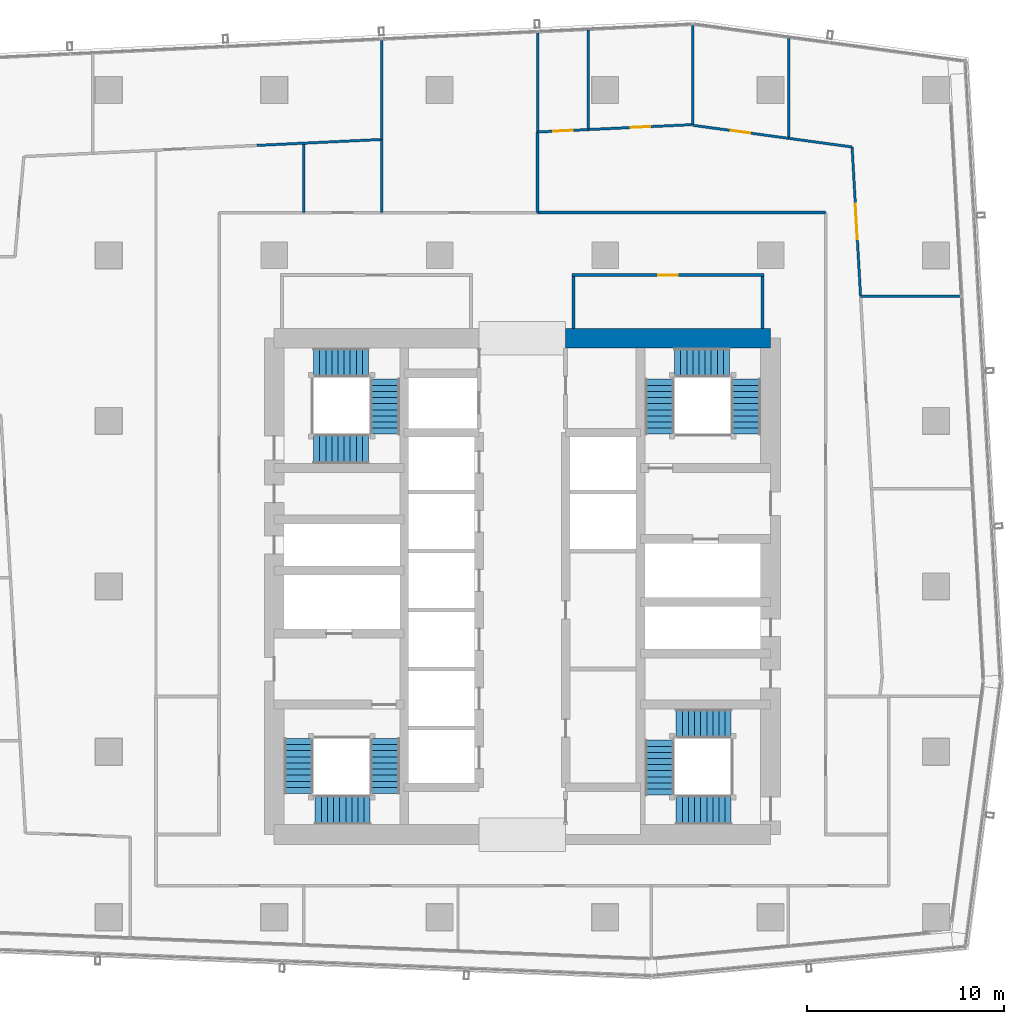
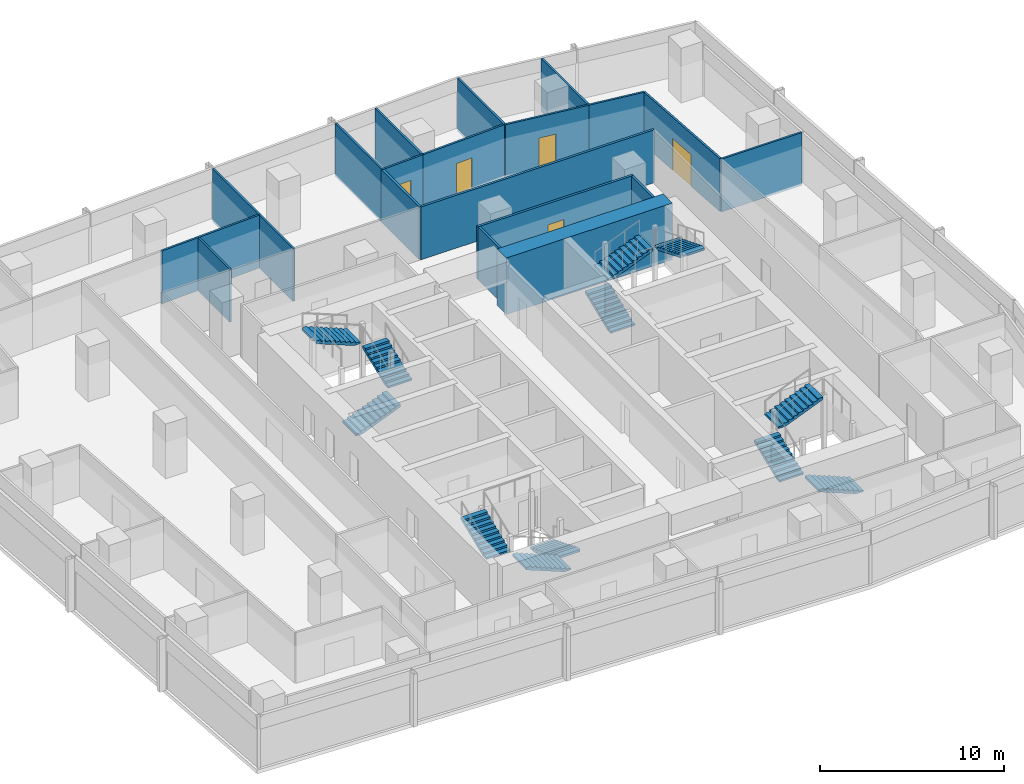
# One storey, part 30 of 38: 20 walls, 12 stair flights, 5 doors, 5 openings, 4 elements without a shape of their own.
"""IFC4 building model written with IfcOpenShell, lengths in metres."""

from ifc_helpers import new_model, si_unit, direction, frame, frame_2d, origin, place, context, subcontext, project, spatial, polyline, rectangle, outline, extrude, material, layer, layer_set, type_object, element, fill, aggregate, save


model = new_model("IFC4")

# Units and contexts
model_context = context("Model", 3, precision=1e-05, world=origin(), true_north=direction((0.0, 1.0)))
body_context = subcontext(model_context, "Body", "Model", "MODEL_VIEW")
ifc_project = project(units=[si_unit("LENGTHUNIT", "METRE"), si_unit("AREAUNIT", "SQUARE_METRE"), si_unit("VOLUMEUNIT", "CUBIC_METRE"), si_unit("PLANEANGLEUNIT", "RADIAN"), si_unit("MASSUNIT", "GRAM", prefix="KILO")], contexts=[model_context])

# Site, building, storey
site_placement = place(None, origin())
site = spatial("IfcSite", under=ifc_project, at=site_placement, CompositionType="ELEMENT")
building_placement = place(site_placement, origin())
building = spatial("IfcBuilding", under=site, at=building_placement, Name="Rekha Terrace Tower", CompositionType="ELEMENT")
storey_placement = place(building_placement, frame((0.0, 0.0, 195.199951171875)))
storey = spatial("IfcBuildingStorey", under=building, at=storey_placement, Name="L49", CompositionType="ELEMENT", Elevation=195.199951171875)

# Wall
ifc_material_1 = material(Name="Concrete M60", Category="concrete")
ifc_layer_1 = layer(ifc_material_1, 1.0)
ifc_layer_set_1 = layer_set([ifc_layer_1], Name="Concrete M60")
wall_type_1 = type_object("IfcWallType", Name="SW3 1000 core outer shear wall", PredefinedType="SHEAR", material=ifc_layer_set_1)
wall_1_placement = place(storey_placement, frame((40.0, 46.199951171875, 0.0), z_axis=(0.0, 0.0, 1.0), x_axis=(1.0, 0.0, 0.0)))
element("IfcWall", 1, at=wall_1_placement, inside=storey, type_object=wall_type_1, Name="Core wall N2 L49", PredefinedType="SHEAR", context=body_context, shape_type="SweptSolid", body=[
    extrude(rectangle(XDim=10.39990234375, YDim=1.0, at=frame_2d((5.199951171875, 0.0))), origin(), (0.0, 0.0, 1.0), 3.75),
])

# Wall, opening, door
ifc_material_2 = material(Name="Concrete block masonry, 1 hour", Category="masonry")
ifc_layer_2 = layer(ifc_material_2, 0.14990234375)
ifc_layer_set_2 = layer_set([ifc_layer_2], Name="Concrete block masonry, 1 hour")
wall_type_2 = type_object("IfcWallType", Name="WP2 150 tenancy partition", PredefinedType="PARTITIONING", material=ifc_layer_set_2)
wall_2_placement = place(storey_placement, frame((40.324951171875, 49.39990234375, 0.0), z_axis=(0.0, 0.0, 1.0), x_axis=(1.0, 0.0, 0.0)))
wall_2 = element("IfcWall", 2, at=wall_2_placement, inside=storey, type_object=wall_type_2, Name="Women's WC wall L49", PredefinedType="PARTITIONING", context=body_context, shape_type="SweptSolid", body=[
    extrude(rectangle(XDim=9.75, YDim=0.14990234375, at=frame_2d((4.875, 0.0))), origin(), (0.0, 0.0, 1.0), 3.5),
])
opening_1_placement = place(wall_2_placement, frame((4.375, 0.0, 0.0)))
opening_1 = element("IfcOpeningElement", 3, at=opening_1_placement, cuts=wall_2, Name="Opening D3", PredefinedType="OPENING", context=body_context, shape_type="SweptSolid", body=[
    extrude(rectangle(XDim=1.0, YDim=2.10009765625, at=frame_2d((0.5, 1.050048828125))), frame((0.0, 0.0849609375, 0.0), z_axis=(0.0, -1.0, 0.0), x_axis=(1.0, 0.0, 0.0)), (0.0, 0.0, 1.0), 0.169921875),
])
ifc_material_3 = material(Name="Laminated timber fire door", Category="wood")
door_type_1 = type_object("IfcDoorType", Name="D3 1000x2100 WC door", OperationType="SINGLE_SWING_LEFT", PredefinedType="DOOR", material=ifc_material_3)
door_1_placement = place(opening_1_placement, origin())
door_1 = element("IfcDoor", 4, at=door_1_placement, inside=storey, type_object=door_type_1, Name="Door women's wc L49", OperationType="SINGLE_SWING_LEFT", OverallHeight=2.10009765625, OverallWidth=1.0, PredefinedType="DOOR", context=body_context, shape_type="SweptSolid", body=[
    extrude(rectangle(XDim=1.0, YDim=2.10009765625, at=frame_2d((0.5, 1.050048828125))), frame((0.0, 0.02490234375, 0.0), z_axis=(0.0, -1.0, 0.0), x_axis=(1.0, 0.0, 0.0)), (0.0, 0.0, 1.0), 0.050048828125),
])
fill(opening_1, door_1)

# Walls
for number, where, z_axis, x_axis, name in (
    (5, (40.39990234375, 46.699951171875, 0.0), (0.0, 0.0, 1.0), (0.0, 1.0, 0.0), "Women's WC wall L49"),
    (6, (50.0, 46.699951171875, 0.0), (0.0, 0.0, 1.0), (0.0, 1.0, 0.0), "Women's WC wall L49"),
):
    element("IfcWall", number, at=place(storey_placement, frame(where, z_axis=z_axis, x_axis=x_axis)), inside=storey, type_object=wall_type_2, Name=name, PredefinedType="PARTITIONING", context=body_context, shape_type="SweptSolid", body=[
        extrude(rectangle(XDim=2.625, YDim=0.14990234375, at=frame_2d((1.3125, 0.0))), origin(), (0.0, 0.0, 1.0), 3.5),
    ])
wall_3_placement = place(storey_placement, frame((53.199951171875, 52.574951171875, 0.0), z_axis=(0.0, 0.0, 1.0), x_axis=(-1.0, 0.0, 0.0)))
element("IfcWall", 7, at=wall_3_placement, inside=storey, type_object=wall_type_2, Name="Partition L49-O1", PredefinedType="PARTITIONING", context=body_context, shape_type="SweptSolid", body=[
    extrude(rectangle(XDim=14.6298828125, YDim=0.14990234375, at=frame_2d((7.31494140625, 0.0))), origin(), (0.0, 0.0, 1.0), 3.5),
])
wall_4_placement = place(storey_placement, frame((38.570068359375, 52.574951171875, 0.0), z_axis=(0.0, 0.0, 1.0), x_axis=(0.0, 1.0, 0.0)))
element("IfcWall", 8, at=wall_4_placement, inside=storey, type_object=wall_type_2, Name="Partition L49-O1", PredefinedType="PARTITIONING", context=body_context, shape_type="SweptSolid", body=[
    extrude(rectangle(XDim=4.090087890625, YDim=0.14990234375, at=frame_2d((2.044921875, 0.0))), origin(), (0.0, 0.0, 1.0), 3.5),
])
ifc_material_4 = material(Name="Two layers of fire-rated gypsum board each side on steel studs, acoustic quilt, 1 hour", Category="steel")
ifc_layer_3 = layer(ifc_material_4, 0.125)
ifc_layer_set_3 = layer_set([ifc_layer_3], Name="Two layers of fire-rated gypsum board each side on steel studs, acoustic quilt, 1 hour")
wall_type_3 = type_object("IfcWallType", Name="WP3 125 office partition", PredefinedType="PARTITIONING", material=ifc_layer_set_3)
wall_5_placement = place(storey_placement, frame((54.968017578125, 48.3310546875, 0.0), z_axis=(0.0, 0.0, 1.0), x_axis=(1.0, 0.0, 0.0)))
element("IfcWall", 9, at=wall_5_placement, inside=storey, type_object=wall_type_3, Name="Partition L49-06", PredefinedType="PARTITIONING", context=body_context, shape_type="SweptSolid", body=[
    extrude(rectangle(XDim=5.028076171875, YDim=0.125, at=frame_2d((2.51416015625, 0.0))), origin(), (0.0, 0.0, 1.0), 3.5),
])
wall_6_placement = place(storey_placement, frame((51.31298828125, 56.343994140625, 0.0), z_axis=(0.0, 0.0, 1.0), x_axis=(0.0, 1.0, 0.0)))
element("IfcWall", 10, at=wall_6_placement, inside=storey, type_object=wall_type_3, Name="Partition L49-07", PredefinedType="PARTITIONING", context=body_context, shape_type="SweptSolid", body=[
    extrude(rectangle(XDim=5.06689453125, YDim=0.125, at=frame_2d((2.533447265625, 0.0))), origin(), (0.0, 0.0, 1.0), 3.5),
])

# Wall, opening, door
wall_7_placement = place(storey_placement, frame((54.968017578125, 48.33203125, 0.0), z_axis=(0.0, 0.0, 1.0), x_axis=(-0.056680388523, 0.998392374549, 0.0)))
wall_7 = element("IfcWall", 11, at=wall_7_placement, inside=storey, type_object=wall_type_3, Name="Partition L49-07", PredefinedType="PARTITIONING", context=body_context, shape_type="SweptSolid", body=[
    extrude(rectangle(XDim=7.585205078125, YDim=0.125, at=frame_2d((3.79248046875, 0.0))), origin(), (0.0, 0.0, 1.0), 3.5),
])
opening_2_placement = place(wall_7_placement, frame((2.89306640625, 0.0, 0.0)))
opening_2 = element("IfcOpeningElement", 12, at=opening_2_placement, cuts=wall_7, Name="Opening D8", PredefinedType="OPENING", context=body_context, shape_type="SweptSolid", body=[
    extrude(rectangle(XDim=1.800048828125, YDim=2.10009765625, at=frame_2d((0.89990234375, 1.050048828125))), frame((0.0, 0.072509765625, 0.0), z_axis=(0.0, -1.0, 0.0), x_axis=(1.0, 0.0, 0.0)), (0.0, 0.0, 1.0), 0.14501953125),
])
ifc_material_5 = material(Name="Timber fire door", Category="wood")
door_type_2 = type_object("IfcDoorType", Name="D8 1800x2100 double leaf door", OperationType="DOUBLE_DOOR_SINGLE_SWING", PredefinedType="DOOR", material=ifc_material_5)
door_2_placement = place(opening_2_placement, origin())
door_2 = element("IfcDoor", 13, at=door_2_placement, inside=storey, type_object=door_type_2, Name="Door meeting room L49", OperationType="DOUBLE_DOOR_SINGLE_SWING", OverallHeight=2.10009765625, OverallWidth=1.800048828125, PredefinedType="DOOR", context=body_context, shape_type="SweptSolid", body=[
    extrude(rectangle(XDim=1.800048828125, YDim=2.10009765625, at=frame_2d((0.89990234375, 1.050048828125))), frame((0.0, 0.02490234375, 0.0), z_axis=(0.0, -1.0, 0.0), x_axis=(1.0, 0.0, 0.0)), (0.0, 0.0, 1.0), 0.050048828125),
])
fill(opening_2, door_2)

# Wall
wall_8_placement = place(storey_placement, frame((54.5380859375, 55.905029296875, 0.0), z_axis=(0.0, 0.0, 1.0), x_axis=(-0.990863913786, 0.134865504692, 0.0)))
element("IfcWall", 14, at=wall_8_placement, inside=storey, type_object=wall_type_3, Name="Partition L49-07", PredefinedType="PARTITIONING", context=body_context, shape_type="SweptSolid", body=[
    extrude(rectangle(XDim=3.2548828125, YDim=0.125, at=frame_2d((1.62744140625, 0.0))), origin(), (0.0, 0.0, 1.0), 3.5),
])

# Wall, opening, door
wall_9_placement = place(storey_placement, frame((51.31201171875, 56.343994140625, 0.0), z_axis=(0.0, 0.0, 1.0), x_axis=(-0.99084256707, 0.135022247361, 0.0)))
wall_9 = element("IfcWall", 15, at=wall_9_placement, inside=storey, type_object=wall_type_3, Name="Partition L49-08", PredefinedType="PARTITIONING", context=body_context, shape_type="SweptSolid", body=[
    extrude(rectangle(XDim=4.910888671875, YDim=0.125, at=frame_2d((2.45556640625, 0.0))), origin(), (0.0, 0.0, 1.0), 3.5),
])
opening_3_placement = place(wall_9_placement, frame((1.9560546875, 0.0, 0.0)))
opening_3 = element("IfcOpeningElement", 16, at=opening_3_placement, cuts=wall_9, Name="Opening D9", PredefinedType="OPENING", context=body_context, shape_type="SweptSolid", body=[
    extrude(rectangle(XDim=1.0, YDim=2.10009765625, at=frame_2d((0.5, 1.050048828125))), frame((0.0, 0.072509765625, 0.0), z_axis=(0.0, -1.0, 0.0), x_axis=(1.0, 0.0, 0.0)), (0.0, 0.0, 1.0), 0.14501953125),
])
door_type_3 = type_object("IfcDoorType", Name="D9 1000x2100 office door", OperationType="SINGLE_SWING_LEFT", PredefinedType="DOOR", material=ifc_material_5)
door_3_placement = place(opening_3_placement, origin())
door_3 = element("IfcDoor", 17, at=door_3_placement, inside=storey, type_object=door_type_3, Name="Door office L49", OperationType="SINGLE_SWING_LEFT", OverallHeight=2.10009765625, OverallWidth=1.0, PredefinedType="DOOR", context=body_context, shape_type="SweptSolid", body=[
    extrude(rectangle(XDim=1.0, YDim=2.10009765625, at=frame_2d((0.5, 1.050048828125))), frame((0.0, 0.02490234375, 0.0), z_axis=(0.0, -1.0, 0.0), x_axis=(1.0, 0.0, 0.0)), (0.0, 0.0, 1.0), 0.050048828125),
])
fill(opening_3, door_3)

# Walls
wall_10_placement = place(storey_placement, frame((46.445068359375, 57.02001953125, 0.0), z_axis=(0.0, 0.0, 1.0), x_axis=(0.0, 1.0, 0.0)))
element("IfcWall", 18, at=wall_10_placement, inside=storey, type_object=wall_type_3, Name="Partition L49-08", PredefinedType="PARTITIONING", context=body_context, shape_type="SweptSolid", body=[
    extrude(rectangle(XDim=5.046875, YDim=0.125, at=frame_2d((2.5234375, 0.0))), origin(), (0.0, 0.0, 1.0), 3.5),
])
wall_11_placement = place(storey_placement, frame((41.152099609375, 56.7890625, 0.0), z_axis=(0.0, 0.0, 1.0), x_axis=(0.0, 1.0, 0.0)))
element("IfcWall", 19, at=wall_11_placement, inside=storey, type_object=wall_type_3, Name="Partition L49-09", PredefinedType="PARTITIONING", context=body_context, shape_type="SweptSolid", body=[
    extrude(rectangle(XDim=5.055908203125, YDim=0.125, at=frame_2d((2.52783203125, 0.0))), origin(), (0.0, 0.0, 1.0), 3.5),
])

# Wall, opening, door
wall_12_placement = place(storey_placement, frame((46.383056640625, 57.0380859375, 0.0), z_axis=(0.0, 0.0, 1.0), x_axis=(-0.99886877048, -0.047551859698, 0.0)))
wall_12 = element("IfcWall", 20, at=wall_12_placement, inside=storey, type_object=wall_type_3, Name="Partition L49-09", PredefinedType="PARTITIONING", context=body_context, shape_type="SweptSolid", body=[
    extrude(rectangle(XDim=5.23681640625, YDim=0.125, at=frame_2d((2.618408203125, 0.0))), origin(), (0.0, 0.0, 1.0), 3.5),
])
opening_4_placement = place(wall_12_placement, frame((2.087890625, 0.0, 0.0)))
opening_4 = element("IfcOpeningElement", 21, at=opening_4_placement, cuts=wall_12, Name="Opening D9", PredefinedType="OPENING", context=body_context, shape_type="SweptSolid", body=[
    extrude(rectangle(XDim=1.0, YDim=2.10009765625, at=frame_2d((0.5, 1.050048828125))), frame((0.0, 0.072509765625, 0.0), z_axis=(0.0, -1.0, 0.0), x_axis=(1.0, 0.0, 0.0)), (0.0, 0.0, 1.0), 0.14501953125),
])
door_4_placement = place(opening_4_placement, origin())
door_4 = element("IfcDoor", 22, at=door_4_placement, inside=storey, type_object=door_type_3, Name="Door office L49", OperationType="SINGLE_SWING_LEFT", OverallHeight=2.10009765625, OverallWidth=1.0, PredefinedType="DOOR", context=body_context, shape_type="SweptSolid", body=[
    extrude(rectangle(XDim=1.0, YDim=2.10009765625, at=frame_2d((0.5, 1.050048828125))), frame((0.0, 0.02490234375, 0.0), z_axis=(0.0, -1.0, 0.0), x_axis=(1.0, 0.0, 0.0)), (0.0, 0.0, 1.0), 0.050048828125),
])
fill(opening_4, door_4)

wall_13_placement = place(storey_placement, frame((41.15087890625, 56.7880859375, 0.0), z_axis=(0.0, 0.0, 1.0), x_axis=(-0.99886535687, -0.047623511481, 0.0)))
wall_13 = element("IfcWall", 23, at=wall_13_placement, inside=storey, type_object=wall_type_3, Name="Partition L49-10", PredefinedType="PARTITIONING", context=body_context, shape_type="SweptSolid", body=[
    extrude(rectangle(XDim=2.583740234375, YDim=0.125, at=frame_2d((1.2919921875, 0.0))), origin(), (0.0, 0.0, 1.0), 3.5),
])
opening_5_placement = place(wall_13_placement, frame((0.7919921875, 0.0, 0.0)))
opening_5 = element("IfcOpeningElement", 24, at=opening_5_placement, cuts=wall_13, Name="Opening D9", PredefinedType="OPENING", context=body_context, shape_type="SweptSolid", body=[
    extrude(rectangle(XDim=1.0, YDim=2.10009765625, at=frame_2d((0.5, 1.050048828125))), frame((0.0, 0.072509765625, 0.0), z_axis=(0.0, -1.0, 0.0), x_axis=(1.0, 0.0, 0.0)), (0.0, 0.0, 1.0), 0.14501953125),
])
door_5_placement = place(opening_5_placement, origin())
door_5 = element("IfcDoor", 25, at=door_5_placement, inside=storey, type_object=door_type_3, Name="Door office L49", OperationType="SINGLE_SWING_LEFT", OverallHeight=2.10009765625, OverallWidth=1.0, PredefinedType="DOOR", context=body_context, shape_type="SweptSolid", body=[
    extrude(rectangle(XDim=1.0, YDim=2.10009765625, at=frame_2d((0.5, 1.050048828125))), frame((0.0, 0.02490234375, 0.0), z_axis=(0.0, -1.0, 0.0), x_axis=(1.0, 0.0, 0.0)), (0.0, 0.0, 1.0), 0.050048828125),
])
fill(opening_5, door_5)

# Walls
for number, where, z_axis, x_axis, name in (
    (26, (38.570068359375, 56.6650390625, 0.0), (0.0, 0.0, 1.0), (0.0, 1.0, 0.0), "Partition L49-10"),
    (27, (30.660888671875, 61.31298828125, 0.0), (0.0, 0.0, 1.0), (0.0, -1.0, 0.0), "Partition L49-11"),
):
    element("IfcWall", number, at=place(storey_placement, frame(where, z_axis=z_axis, x_axis=x_axis)), inside=storey, type_object=wall_type_3, Name=name, PredefinedType="PARTITIONING", context=body_context, shape_type="SweptSolid", body=[
        extrude(rectangle(XDim=5.02587890625, YDim=0.125, at=frame_2d((2.512939453125, 0.0))), origin(), (0.0, 0.0, 1.0), 3.5),
    ])
wall_14_placement = place(storey_placement, frame((30.660888671875, 56.287109375, 0.0), z_axis=(0.0, 0.0, 1.0), x_axis=(-0.998859247907, -0.047751469819, 0.0)))
element("IfcWall", 28, at=wall_14_placement, inside=storey, type_object=wall_type_3, Name="Partition L49-11", PredefinedType="PARTITIONING", context=body_context, shape_type="SweptSolid", body=[
    extrude(rectangle(XDim=6.35009765625, YDim=0.125, at=frame_2d((3.175048828125, 0.0))), origin(), (0.0, 0.0, 1.0), 3.5),
])
wall_15_placement = place(storey_placement, frame((26.7041015625, 56.034912109375, 0.0), z_axis=(0.0, 0.0, 1.0), x_axis=(0.0, -1.0, 0.0)))
element("IfcWall", 29, at=wall_15_placement, inside=storey, type_object=wall_type_3, Name="Partition L49-18", PredefinedType="PARTITIONING", context=body_context, shape_type="SweptSolid", body=[
    extrude(rectangle(XDim=3.4599609375, YDim=0.125, at=frame_2d((1.72998046875, 0.0))), origin(), (0.0, 0.0, 1.0), 3.5),
])
wall_16_placement = place(storey_placement, frame((30.660888671875, 56.287109375, 0.0), z_axis=(0.0, 0.0, 1.0), x_axis=(0.0, -1.0, 0.0)))
element("IfcWall", 30, at=wall_16_placement, inside=storey, type_object=wall_type_3, Name="Partition L49-19", PredefinedType="PARTITIONING", context=body_context, shape_type="SweptSolid", body=[
    extrude(rectangle(XDim=3.712158203125, YDim=0.125, at=frame_2d((1.85595703125, 0.0))), origin(), (0.0, 0.0, 1.0), 3.5),
])

# Stair, stair flights
ifc_material_6 = material(Name="Concrete M40", Category="concrete")
stair_type = type_object("IfcStairType", Name="ST30 stair, 30 risers of 125, going 310, 1500 wide flights, 3 flights", PredefinedType="HALF_TURN_STAIR", material=ifc_material_6)
stair_1_placement = place(storey_placement, origin())
stair_1 = element("IfcStair", 31, at=stair_1_placement, inside=storey, type_object=stair_type, Name="Stair ST1 L49 to L50", PredefinedType="HALF_TURN_STAIR")
stair_flight_type = type_object("IfcStairFlightType", Name="SF10 stair flight, 10 risers of 125, going 310, 1500 wide", PredefinedType="STRAIGHT", material=ifc_material_6)
stair_flight_1_placement = place(storey_placement, frame((30.824951171875, 25.875, 0.0), z_axis=(0.0, 0.0, 1.0), x_axis=(0.0, -1.0, 0.0)))
stair_flight_1 = element("IfcStairFlight", 32, at=stair_flight_1_placement, type_object=stair_flight_type, Name="ST1 flight 1", NumberOfRisers=10, NumberOfTreads=9, PredefinedType="STRAIGHT", RiserHeight=0.125, TreadLength=0.31, context=body_context, shape_type="SweptSolid", body=[
    extrude(outline(polyline([(0.0, 0.0), (0.0, 0.125), (0.31005859375, 0.125), (0.31005859375, 0.25), (0.6201171875, 0.25), (0.6201171875, 0.375), (0.929931640625, 0.375), (0.929931640625, 0.5), (1.239990234375, 0.5), (1.239990234375, 0.625), (1.550048828125, 0.625), (1.550048828125, 0.75), (1.860107421875, 0.75), (1.860107421875, 0.875), (2.169921875, 0.875), (2.169921875, 1.0), (2.47998046875, 1.0), (2.47998046875, 1.125), (2.7900390625, 1.125), (2.7900390625, 1.25), (2.7900390625, 0.96337890625), (0.40087890625, 0.0), (0.0, 0.0)])), frame((0.0, 0.75, 0.0), z_axis=(0.0, -1.0, 0.0), x_axis=(1.0, 0.0, 0.0)), (0.0, 0.0, 1.0), 1.5),
])
stair_flight_2_placement = place(storey_placement, frame((30.074951171875, 22.25, 1.25), z_axis=(0.0, 0.0, 1.0), x_axis=(-1.0, 0.0, 0.0)))
stair_flight_2 = element("IfcStairFlight", 33, at=stair_flight_2_placement, type_object=stair_flight_type, Name="ST1 flight 2", NumberOfRisers=10, NumberOfTreads=9, PredefinedType="STRAIGHT", RiserHeight=0.125, TreadLength=0.31, context=body_context, shape_type="SweptSolid", body=[
    extrude(outline(polyline([(0.0, 0.0), (0.0, 0.125), (0.31005859375, 0.125), (0.31005859375, 0.25), (0.6201171875, 0.25), (0.6201171875, 0.375), (0.929931640625, 0.375), (0.929931640625, 0.5), (1.239990234375, 0.5), (1.239990234375, 0.625), (1.550048828125, 0.625), (1.550048828125, 0.75), (1.860107421875, 0.75), (1.860107421875, 0.875), (2.169921875, 0.875), (2.169921875, 1.0), (2.47998046875, 1.0), (2.47998046875, 1.125), (2.7900390625, 1.125), (2.7900390625, 1.25), (2.7900390625, 0.96337890625), (0.40087890625, 0.0), (0.0, 0.0)])), frame((0.0, 0.75, 0.0), z_axis=(0.0, -1.0, 0.0), x_axis=(1.0, 0.0, 0.0)), (0.0, 0.0, 1.0), 1.5),
])
stair_flight_3_placement = place(storey_placement, frame((26.449951171875, 23.0849609375, 2.5), z_axis=(0.0, 0.0, 1.0), x_axis=(0.0, 1.0, 0.0)))
stair_flight_3 = element("IfcStairFlight", 34, at=stair_flight_3_placement, type_object=stair_flight_type, Name="ST1 flight 3", NumberOfRisers=10, NumberOfTreads=9, PredefinedType="STRAIGHT", RiserHeight=0.125, TreadLength=0.31, context=body_context, shape_type="SweptSolid", body=[
    extrude(outline(polyline([(0.0, 0.0), (0.0, 0.125), (0.31005859375, 0.125), (0.31005859375, 0.25), (0.6201171875, 0.25), (0.6201171875, 0.375), (0.929931640625, 0.375), (0.929931640625, 0.5), (1.239990234375, 0.5), (1.239990234375, 0.625), (1.550048828125, 0.625), (1.550048828125, 0.75), (1.860107421875, 0.75), (1.860107421875, 0.875), (2.169921875, 0.875), (2.169921875, 1.0), (2.47998046875, 1.0), (2.47998046875, 1.125), (2.7900390625, 1.125), (2.7900390625, 1.25), (2.7900390625, 0.96337890625), (0.40087890625, 0.0), (0.0, 0.0)])), frame((0.0, 0.75, 0.0), z_axis=(0.0, -1.0, 0.0), x_axis=(1.0, 0.0, 0.0)), (0.0, 0.0, 1.0), 1.5),
])
aggregate(stair_1, [stair_flight_1, stair_flight_2, stair_flight_3])

stair_2_placement = place(storey_placement, origin())
stair_2 = element("IfcStair", 35, at=stair_2_placement, inside=storey, type_object=stair_type, Name="Stair ST2 L49 to L50", PredefinedType="HALF_TURN_STAIR")
stair_flight_4_placement = place(storey_placement, frame((44.77490234375, 41.324951171875, 0.0), z_axis=(0.0, 0.0, 1.0), x_axis=(0.0, 1.0, 0.0)))
stair_flight_4 = element("IfcStairFlight", 36, at=stair_flight_4_placement, type_object=stair_flight_type, Name="ST2 flight 1", NumberOfRisers=10, NumberOfTreads=9, PredefinedType="STRAIGHT", RiserHeight=0.125, TreadLength=0.31, context=body_context, shape_type="SweptSolid", body=[
    extrude(outline(polyline([(0.0, 0.0), (0.0, 0.125), (0.31005859375, 0.125), (0.31005859375, 0.25), (0.6201171875, 0.25), (0.6201171875, 0.375), (0.929931640625, 0.375), (0.929931640625, 0.5), (1.239990234375, 0.5), (1.239990234375, 0.625), (1.550048828125, 0.625), (1.550048828125, 0.75), (1.860107421875, 0.75), (1.860107421875, 0.875), (2.169921875, 0.875), (2.169921875, 1.0), (2.47998046875, 1.0), (2.47998046875, 1.125), (2.7900390625, 1.125), (2.7900390625, 1.25), (2.7900390625, 0.96337890625), (0.40087890625, 0.0), (0.0, 0.0)])), frame((0.0, 0.75, 0.0), z_axis=(0.0, -1.0, 0.0), x_axis=(1.0, 0.0, 0.0)), (0.0, 0.0, 1.0), 1.5),
])
stair_flight_5_placement = place(storey_placement, frame((45.52490234375, 44.949951171875, 1.25), z_axis=(0.0, 0.0, 1.0), x_axis=(1.0, 0.0, 0.0)))
stair_flight_5 = element("IfcStairFlight", 37, at=stair_flight_5_placement, type_object=stair_flight_type, Name="ST2 flight 2", NumberOfRisers=10, NumberOfTreads=9, PredefinedType="STRAIGHT", RiserHeight=0.125, TreadLength=0.31, context=body_context, shape_type="SweptSolid", body=[
    extrude(outline(polyline([(0.0, 0.0), (0.0, 0.125), (0.31005859375, 0.125), (0.31005859375, 0.25), (0.6201171875, 0.25), (0.6201171875, 0.375), (0.929931640625, 0.375), (0.929931640625, 0.5), (1.239990234375, 0.5), (1.239990234375, 0.625), (1.550048828125, 0.625), (1.550048828125, 0.75), (1.860107421875, 0.75), (1.860107421875, 0.875), (2.169921875, 0.875), (2.169921875, 1.0), (2.47998046875, 1.0), (2.47998046875, 1.125), (2.7900390625, 1.125), (2.7900390625, 1.25), (2.7900390625, 0.96337890625), (0.40087890625, 0.0), (0.0, 0.0)])), frame((0.0, 0.75, 0.0), z_axis=(0.0, -1.0, 0.0), x_axis=(1.0, 0.0, 0.0)), (0.0, 0.0, 1.0), 1.5),
])
stair_flight_6_placement = place(storey_placement, frame((49.14990234375, 44.114990234375, 2.5), z_axis=(0.0, 0.0, 1.0), x_axis=(0.0, -1.0, 0.0)))
stair_flight_6 = element("IfcStairFlight", 38, at=stair_flight_6_placement, type_object=stair_flight_type, Name="ST2 flight 3", NumberOfRisers=10, NumberOfTreads=9, PredefinedType="STRAIGHT", RiserHeight=0.125, TreadLength=0.31, context=body_context, shape_type="SweptSolid", body=[
    extrude(outline(polyline([(0.0, 0.0), (0.0, 0.125), (0.31005859375, 0.125), (0.31005859375, 0.25), (0.6201171875, 0.25), (0.6201171875, 0.375), (0.929931640625, 0.375), (0.929931640625, 0.5), (1.239990234375, 0.5), (1.239990234375, 0.625), (1.550048828125, 0.625), (1.550048828125, 0.75), (1.860107421875, 0.75), (1.860107421875, 0.875), (2.169921875, 0.875), (2.169921875, 1.0), (2.47998046875, 1.0), (2.47998046875, 1.125), (2.7900390625, 1.125), (2.7900390625, 1.25), (2.7900390625, 0.96337890625), (0.40087890625, 0.0), (0.0, 0.0)])), frame((0.0, 0.75, 0.0), z_axis=(0.0, -1.0, 0.0), x_axis=(1.0, 0.0, 0.0)), (0.0, 0.0, 1.0), 1.5),
])
aggregate(stair_2, [stair_flight_4, stair_flight_5, stair_flight_6])

stair_3_placement = place(storey_placement, origin())
stair_3 = element("IfcStair", 39, at=stair_3_placement, inside=storey, type_object=stair_type, Name="Stair ST3 L49 to L50", PredefinedType="HALF_TURN_STAIR")
stair_flight_7_placement = place(storey_placement, frame((48.39990234375, 22.25, 0.0), z_axis=(0.0, 0.0, 1.0), x_axis=(-1.0, 0.0, 0.0)))
stair_flight_7 = element("IfcStairFlight", 40, at=stair_flight_7_placement, type_object=stair_flight_type, Name="ST3 flight 1", NumberOfRisers=10, NumberOfTreads=9, PredefinedType="STRAIGHT", RiserHeight=0.125, TreadLength=0.31, context=body_context, shape_type="SweptSolid", body=[
    extrude(outline(polyline([(0.0, 0.0), (0.0, 0.125), (0.31005859375, 0.125), (0.31005859375, 0.25), (0.6201171875, 0.25), (0.6201171875, 0.375), (0.929931640625, 0.375), (0.929931640625, 0.5), (1.239990234375, 0.5), (1.239990234375, 0.625), (1.550048828125, 0.625), (1.550048828125, 0.75), (1.860107421875, 0.75), (1.860107421875, 0.875), (2.169921875, 0.875), (2.169921875, 1.0), (2.47998046875, 1.0), (2.47998046875, 1.125), (2.7900390625, 1.125), (2.7900390625, 1.25), (2.7900390625, 0.96337890625), (0.40087890625, 0.0), (0.0, 0.0)])), frame((0.0, 0.75, 0.0), z_axis=(0.0, -1.0, 0.0), x_axis=(1.0, 0.0, 0.0)), (0.0, 0.0, 1.0), 1.5),
])
stair_flight_8_placement = place(storey_placement, frame((44.77490234375, 23.0, 1.25), z_axis=(0.0, 0.0, 1.0), x_axis=(0.0, 1.0, 0.0)))
stair_flight_8 = element("IfcStairFlight", 41, at=stair_flight_8_placement, type_object=stair_flight_type, Name="ST3 flight 2", NumberOfRisers=10, NumberOfTreads=9, PredefinedType="STRAIGHT", RiserHeight=0.125, TreadLength=0.31, context=body_context, shape_type="SweptSolid", body=[
    extrude(outline(polyline([(0.0, 0.0), (0.0, 0.125), (0.31005859375, 0.125), (0.31005859375, 0.25), (0.6201171875, 0.25), (0.6201171875, 0.375), (0.929931640625, 0.375), (0.929931640625, 0.5), (1.239990234375, 0.5), (1.239990234375, 0.625), (1.550048828125, 0.625), (1.550048828125, 0.75), (1.860107421875, 0.75), (1.860107421875, 0.875), (2.169921875, 0.875), (2.169921875, 1.0), (2.47998046875, 1.0), (2.47998046875, 1.125), (2.7900390625, 1.125), (2.7900390625, 1.25), (2.7900390625, 0.96337890625), (0.40087890625, 0.0), (0.0, 0.0)])), frame((0.0, 0.75, 0.0), z_axis=(0.0, -1.0, 0.0), x_axis=(1.0, 0.0, 0.0)), (0.0, 0.0, 1.0), 1.5),
])
stair_flight_9_placement = place(storey_placement, frame((45.610107421875, 26.625, 2.5), z_axis=(0.0, 0.0, 1.0), x_axis=(1.0, 0.0, 0.0)))
stair_flight_9 = element("IfcStairFlight", 42, at=stair_flight_9_placement, type_object=stair_flight_type, Name="ST3 flight 3", NumberOfRisers=10, NumberOfTreads=9, PredefinedType="STRAIGHT", RiserHeight=0.125, TreadLength=0.31, context=body_context, shape_type="SweptSolid", body=[
    extrude(outline(polyline([(0.0, 0.0), (0.0, 0.125), (0.31005859375, 0.125), (0.31005859375, 0.25), (0.6201171875, 0.25), (0.6201171875, 0.375), (0.929931640625, 0.375), (0.929931640625, 0.5), (1.239990234375, 0.5), (1.239990234375, 0.625), (1.550048828125, 0.625), (1.550048828125, 0.75), (1.860107421875, 0.75), (1.860107421875, 0.875), (2.169921875, 0.875), (2.169921875, 1.0), (2.47998046875, 1.0), (2.47998046875, 1.125), (2.7900390625, 1.125), (2.7900390625, 1.25), (2.7900390625, 0.96337890625), (0.40087890625, 0.0), (0.0, 0.0)])), frame((0.0, 0.75, 0.0), z_axis=(0.0, -1.0, 0.0), x_axis=(1.0, 0.0, 0.0)), (0.0, 0.0, 1.0), 1.5),
])
aggregate(stair_3, [stair_flight_7, stair_flight_8, stair_flight_9])

stair_4_placement = place(storey_placement, origin())
stair_4 = element("IfcStair", 43, at=stair_4_placement, inside=storey, type_object=stair_type, Name="Stair ST4 L49 to L50", PredefinedType="HALF_TURN_STAIR")
stair_flight_10_placement = place(storey_placement, frame((27.199951171875, 40.574951171875, 0.0), z_axis=(0.0, 0.0, 1.0), x_axis=(1.0, 0.0, 0.0)))
stair_flight_10 = element("IfcStairFlight", 44, at=stair_flight_10_placement, type_object=stair_flight_type, Name="ST4 flight 1", NumberOfRisers=10, NumberOfTreads=9, PredefinedType="STRAIGHT", RiserHeight=0.125, TreadLength=0.31, context=body_context, shape_type="SweptSolid", body=[
    extrude(outline(polyline([(0.0, 0.0), (0.0, 0.125), (0.31005859375, 0.125), (0.31005859375, 0.25), (0.6201171875, 0.25), (0.6201171875, 0.375), (0.929931640625, 0.375), (0.929931640625, 0.5), (1.239990234375, 0.5), (1.239990234375, 0.625), (1.550048828125, 0.625), (1.550048828125, 0.75), (1.860107421875, 0.75), (1.860107421875, 0.875), (2.169921875, 0.875), (2.169921875, 1.0), (2.47998046875, 1.0), (2.47998046875, 1.125), (2.7900390625, 1.125), (2.7900390625, 1.25), (2.7900390625, 0.96337890625), (0.40087890625, 0.0), (0.0, 0.0)])), frame((0.0, 0.75, 0.0), z_axis=(0.0, -1.0, 0.0), x_axis=(1.0, 0.0, 0.0)), (0.0, 0.0, 1.0), 1.5),
])
stair_flight_11_placement = place(storey_placement, frame((30.824951171875, 41.324951171875, 1.25), z_axis=(0.0, 0.0, 1.0), x_axis=(0.0, 1.0, 0.0)))
stair_flight_11 = element("IfcStairFlight", 45, at=stair_flight_11_placement, type_object=stair_flight_type, Name="ST4 flight 2", NumberOfRisers=10, NumberOfTreads=9, PredefinedType="STRAIGHT", RiserHeight=0.125, TreadLength=0.31, context=body_context, shape_type="SweptSolid", body=[
    extrude(outline(polyline([(0.0, 0.0), (0.0, 0.125), (0.31005859375, 0.125), (0.31005859375, 0.25), (0.6201171875, 0.25), (0.6201171875, 0.375), (0.929931640625, 0.375), (0.929931640625, 0.5), (1.239990234375, 0.5), (1.239990234375, 0.625), (1.550048828125, 0.625), (1.550048828125, 0.75), (1.860107421875, 0.75), (1.860107421875, 0.875), (2.169921875, 0.875), (2.169921875, 1.0), (2.47998046875, 1.0), (2.47998046875, 1.125), (2.7900390625, 1.125), (2.7900390625, 1.25), (2.7900390625, 0.96337890625), (0.40087890625, 0.0), (0.0, 0.0)])), frame((0.0, 0.75, 0.0), z_axis=(0.0, -1.0, 0.0), x_axis=(1.0, 0.0, 0.0)), (0.0, 0.0, 1.0), 1.5),
])
stair_flight_12_placement = place(storey_placement, frame((29.989990234375, 44.949951171875, 2.5), z_axis=(0.0, 0.0, 1.0), x_axis=(-1.0, 0.0, 0.0)))
stair_flight_12 = element("IfcStairFlight", 46, at=stair_flight_12_placement, type_object=stair_flight_type, Name="ST4 flight 3", NumberOfRisers=10, NumberOfTreads=9, PredefinedType="STRAIGHT", RiserHeight=0.125, TreadLength=0.31, context=body_context, shape_type="SweptSolid", body=[
    extrude(outline(polyline([(0.0, 0.0), (0.0, 0.125), (0.31005859375, 0.125), (0.31005859375, 0.25), (0.6201171875, 0.25), (0.6201171875, 0.375), (0.929931640625, 0.375), (0.929931640625, 0.5), (1.239990234375, 0.5), (1.239990234375, 0.625), (1.550048828125, 0.625), (1.550048828125, 0.75), (1.860107421875, 0.75), (1.860107421875, 0.875), (2.169921875, 0.875), (2.169921875, 1.0), (2.47998046875, 1.0), (2.47998046875, 1.125), (2.7900390625, 1.125), (2.7900390625, 1.25), (2.7900390625, 0.96337890625), (0.40087890625, 0.0), (0.0, 0.0)])), frame((0.0, 0.75, 0.0), z_axis=(0.0, -1.0, 0.0), x_axis=(1.0, 0.0, 0.0)), (0.0, 0.0, 1.0), 1.5),
])
aggregate(stair_4, [stair_flight_10, stair_flight_11, stair_flight_12])

save(model, "model.ifc")
